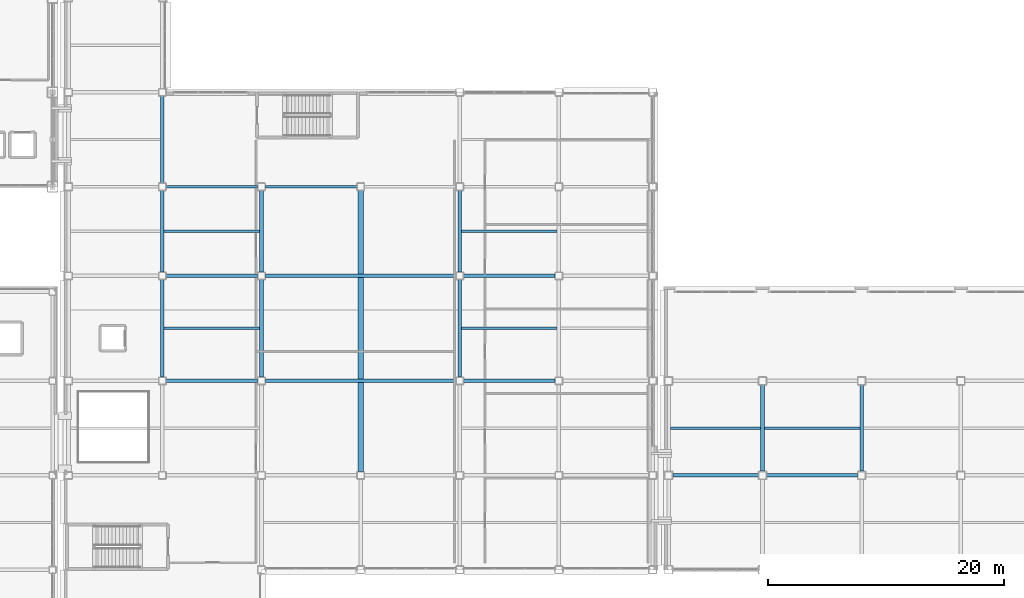
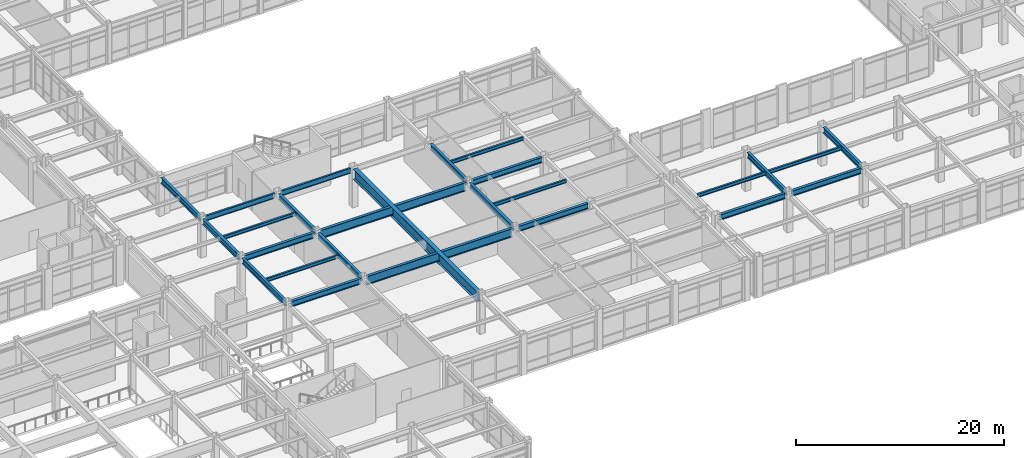
# One storey, part 50 of 172: 26 beams.
"""IFC4 building model written with IfcOpenShell, lengths in metres."""

import ifcopenshell
import ifcopenshell.guid

model = None  # the IFC model being written
_history = None  # IfcOwnerHistory: only IFC2X3 demands one
_inside = {}  # id of a spatial element -> (the spatial element, [elements in it])
_under = {}  # id of a project, library or spatial element -> (it, [spatial elements below it])
_declared = {}  # id of a project -> (the project, [libraries it declares])
_typed = {}  # id of a type object -> (the type object, [elements of that type])
_made_of = {}  # id of a material, layer set ... -> (it, [elements and type objects made of it])


def new_model(schema):
    """Start an empty IFC model of exactly this schema.

    Asked for "IFC4X3", IfcOpenShell would pick the latest addendum, in which some entities
    have other attributes; the version numbers below select the first issue.
    IFC2X3 requires an IfcOwnerHistory on every rooted entity: one is made here for all.
    """
    global model, _history
    if schema == "IFC4X3":
        model = ifcopenshell.file(schema_version=(4, 3, 0, 0))
    else:
        model = ifcopenshell.file(schema=schema)
    _inside.clear()
    _under.clear()
    _declared.clear()
    _typed.clear()
    _made_of.clear()
    _history = None
    if model.schema == "IFC2X3":
        org = make("IfcOrganization", Name="unknown")
        user = make(
            "IfcPersonAndOrganization",
            ThePerson=make("IfcPerson", FamilyName="unknown"),
            TheOrganization=org,
        )
        app = make(
            "IfcApplication",
            ApplicationDeveloper=org,
            Version="unknown",
            ApplicationFullName="unknown",
            ApplicationIdentifier="unknown",
        )
        _history = make(
            "IfcOwnerHistory",
            OwningUser=user,
            OwningApplication=app,
            ChangeAction="ADDED",
            CreationDate=0,
        )
    return model


def make(cls, **values):
    """One entity of the class cls with the attributes given. An attribute that is None is left unset."""
    return model.create_entity(
        cls, **{name: value for name, value in values.items() if value is not None}
    )


def rooted(cls, **values):
    """An entity with a GlobalId (a new one), such as an element, a storey or a relation."""
    return make(cls, GlobalId=ifcopenshell.guid.new(), OwnerHistory=_history, **values)


def si_unit(unit_type, name, prefix=None):
    """IfcSIUnit, for example si_unit("LENGTHUNIT", "METRE", prefix="MILLI")."""
    return make("IfcSIUnit", UnitType=unit_type, Prefix=prefix, Name=name)


def assignment(units):
    """IfcUnitAssignment: the units of a project."""
    return None if units is None else make("IfcUnitAssignment", Units=units)


def point(xyz):
    """IfcCartesianPoint."""
    return None if xyz is None else make("IfcCartesianPoint", Coordinates=xyz)


def direction(xyz):
    """IfcDirection."""
    return None if xyz is None else make("IfcDirection", DirectionRatios=xyz)


def frame(location, z_axis=None, x_axis=None):
    """IfcAxis2Placement3D, a coordinate frame: its origin and axes. An axis left out is left unset."""
    return make(
        "IfcAxis2Placement3D",
        Location=point(location),
        Axis=direction(z_axis),
        RefDirection=direction(x_axis),
    )


def frame_2d(location, x_axis=None):
    """IfcAxis2Placement2D, a coordinate frame in the plane: its origin and x axis."""
    return make(
        "IfcAxis2Placement2D", Location=point(location), RefDirection=direction(x_axis)
    )


def origin():
    """The frame at (0, 0, 0) with its axes left unset."""
    return frame((0.0, 0.0, 0.0))


def origin_2d():
    """The frame at (0, 0) in the plane with its x axis left unset."""
    return frame_2d((0.0, 0.0))


def place(relative_to, where):
    """IfcLocalPlacement: puts the frame where relative to a parent placement (None: the world)."""
    return make(
        "IfcLocalPlacement", PlacementRelTo=relative_to, RelativePlacement=where
    )


def context(
    kind, dimensions, precision=None, world=None, true_north=None, identifier=None
):
    """IfcGeometricRepresentationContext, for example the 3D "Model" context."""
    return make(
        "IfcGeometricRepresentationContext",
        ContextIdentifier=identifier,
        ContextType=kind,
        CoordinateSpaceDimension=dimensions,
        Precision=precision,
        WorldCoordinateSystem=world,
        TrueNorth=true_north,
    )


def subcontext(parent, identifier, kind, view, scale=None):
    """IfcGeometricRepresentationSubContext, for example "Body" below "Model"."""
    return make(
        "IfcGeometricRepresentationSubContext",
        ContextIdentifier=identifier,
        ContextType=kind,
        ParentContext=parent,
        TargetScale=scale,
        TargetView=view,
    )


def project(units=None, contexts=None):
    """IfcProject with its units and contexts."""
    return rooted(
        "IfcProject",
        Name="project",
        RepresentationContexts=contexts,
        UnitsInContext=assignment(units),
    )


def spatial(cls, under=None, at=None, **own):
    """A site, building, storey or space (cls), placed at a placement, below another one or the project."""
    s = rooted(cls, ObjectPlacement=at, **own)
    if under is not None:
        _under.setdefault(under.id(), (under, []))[1].append(s)
    return s


def profile(cls, at=None, kind="AREA", **sizes):
    """A parametric profile (cls). Its sizes go by their IFC names, for example OverallWidth=200.0."""
    return make(cls, ProfileType=kind, Position=at, **sizes)


def i_section(**sizes):
    """IfcIShapeProfileDef."""
    return profile("IfcIShapeProfileDef", **sizes)


def extrude(swept, where, along, depth):
    """IfcExtrudedAreaSolid: the profile swept, set in the frame where, extruded along a direction by depth."""
    return make(
        "IfcExtrudedAreaSolid",
        SweptArea=swept,
        Position=where,
        ExtrudedDirection=direction(along),
        Depth=depth,
    )


def shape(context_of_items, identifier, shape_type, items):
    """IfcShapeRepresentation: the items that make up one representation, for example the "Body"."""
    return make(
        "IfcShapeRepresentation",
        ContextOfItems=context_of_items,
        RepresentationIdentifier=identifier,
        RepresentationType=shape_type,
        Items=items,
    )


def material(Name=None, Category=None):
    """IfcMaterial."""
    return make("IfcMaterial", Name=Name, Category=Category)


def material_profile(
    of_material, cross_section, Name=None, Category=None, Priority=None
):
    """IfcMaterialProfile: a cross section and its material."""
    return make(
        "IfcMaterialProfile",
        Name=Name,
        Material=of_material,
        Profile=cross_section,
        Priority=Priority,
        Category=Category,
    )


def profile_set(profiles, Name=None, composite=None):
    """IfcMaterialProfileSet."""
    return make(
        "IfcMaterialProfileSet",
        Name=Name,
        MaterialProfiles=profiles,
        CompositeProfile=composite,
    )


def made_of(thing, what):
    """Note that an element or type object is made of a material, layer set ...; save() writes the relation."""
    if what is not None:
        _made_of.setdefault(what.id(), (what, []))[1].append(thing)
    return thing


def type_object(cls, material=None, **own):
    """A type object (cls), such as IfcWallType, which elements share."""
    return made_of(rooted(cls, **own), material)


def element(
    cls,
    number,
    at=None,
    inside=None,
    cuts=None,
    type_object=None,
    material=None,
    context=None,
    identifier="Body",
    shape_type=None,
    held_by="IfcProductDefinitionShape",
    body=None,
    shapes=None,
    **own,
):
    """One element of the class cls, such as IfcWall. Its Tag is "e" and its number.

    at: its placement. inside: the storey or other place that contains it. cuts: it is an
    opening in that element (IfcRelVoidsElement). A single representation is given by context,
    identifier, shape_type and body (its items); several are given by shapes. held_by: the class
    of the entity that holds the representations. save() writes the other relations.
    """
    e = rooted(cls, Tag="e%d" % number, ObjectPlacement=at, **own)
    if body is not None:
        shapes = [shape(context, identifier, shape_type, body)]
    if shapes is not None:
        e.Representation = make(held_by, Representations=shapes)
    if inside is not None:
        _inside.setdefault(inside.id(), (inside, []))[1].append(e)
    if cuts is not None:
        rooted(
            "IfcRelVoidsElement", RelatingBuildingElement=cuts, RelatedOpeningElement=e
        )
    if type_object is not None:
        _typed.setdefault(type_object.id(), (type_object, []))[1].append(e)
    return made_of(e, material)


def aggregate(whole, parts):
    """IfcRelAggregates: a whole, such as a stair, and the parts it consists of."""
    return rooted("IfcRelAggregates", RelatingObject=whole, RelatedObjects=parts)


def save(model, path):
    """Write the relations noted so far, then the file.

    IfcRelAggregates (storeys below a building ...), IfcRelContainedInSpatialStructure (elements
    in a storey), IfcRelDefinesByType, IfcRelAssociatesMaterial and IfcRelDeclares: one each for
    every whole, place, type object, material and project.
    """
    for whole, parts in _under.values():
        aggregate(whole, parts)
    for where, things in _inside.values():
        rooted(
            "IfcRelContainedInSpatialStructure",
            RelatedElements=things,
            RelatingStructure=where,
        )
    for kind, things in _typed.values():
        rooted("IfcRelDefinesByType", RelatedObjects=things, RelatingType=kind)
    for what, things in _made_of.values():
        rooted("IfcRelAssociatesMaterial", RelatedObjects=things, RelatingMaterial=what)
    for by, libraries in _declared.values():
        rooted("IfcRelDeclares", RelatingContext=by, RelatedDefinitions=libraries)
    model.write(path)


model = new_model("IFC4")

# Units and contexts
model_context = context("Model", 3, precision=1e-05, world=origin(), true_north=direction((0.0, 1.0)))
body_context = subcontext(model_context, "Body", "Model", "MODEL_VIEW")
ifc_project = project(units=[si_unit("LENGTHUNIT", "METRE"), si_unit("AREAUNIT", "SQUARE_METRE"), si_unit("VOLUMEUNIT", "CUBIC_METRE"), si_unit("PLANEANGLEUNIT", "RADIAN"), si_unit("MASSUNIT", "GRAM", prefix="KILO")], contexts=[model_context])

# Site, building, storey
site_placement = place(None, origin())
site = spatial("IfcSite", under=ifc_project, at=site_placement, CompositionType="ELEMENT")
building_placement = place(site_placement, origin())
building = spatial("IfcBuilding", under=site, at=building_placement, Name="Kazehara Bluff Congress Hotel", CompositionType="ELEMENT")
storey_placement = place(building_placement, frame((0.0, 0.0, 5.39990234375)))
storey = spatial("IfcBuildingStorey", under=building, at=storey_placement, Name="L01", CompositionType="ELEMENT", Elevation=5.39990234375)

# Beams
ifc_material_1 = material(Name="Steel SN490B", Category="steel")
ifc_material_profile_1 = material_profile(ifc_material_1, i_section(OverallWidth=0.300048828125, OverallDepth=0.64990234375, WebThickness=0.011962890625, FlangeThickness=0.02001953125, FilletRadius=0.012939453125, at=origin_2d()))
ifc_profile_set_1 = profile_set([ifc_material_profile_1], Name="Steel SN490B")
beam_type_1 = type_object("IfcBeamType", Name="TP-G-03", PredefinedType="BEAM", material=ifc_profile_set_1)
beam_1_placement = place(storey_placement, frame((67.64990234375, 32.324951171875, 4.22509765625), z_axis=(0.0, 1.0, 0.0), x_axis=(-1.0, 0.0, 0.0)))
element("IfcBeam", 1, at=beam_1_placement, inside=storey, type_object=beam_type_1, Name="L01 girder G-03 157", PredefinedType="BEAM", context=body_context, shape_type="SweptSolid", body=[
    extrude(i_section(OverallWidth=0.300048828125, OverallDepth=0.64990234375, WebThickness=0.011962890625, FlangeThickness=0.02001953125, FilletRadius=0.012939453125, at=origin_2d()), origin(), (0.0, 0.0, 1.0), 8.25),
])
beam_2_placement = place(storey_placement, frame((67.64990234375, 41.22509765625, 4.22509765625), z_axis=(0.0, 1.0, 0.0), x_axis=(-1.0, 0.0, 0.0)))
element("IfcBeam", 2, at=beam_2_placement, inside=storey, type_object=beam_type_1, Name="L01 girder G-03 158", PredefinedType="BEAM", context=body_context, shape_type="SweptSolid", body=[
    extrude(i_section(OverallWidth=0.300048828125, OverallDepth=0.64990234375, WebThickness=0.011962890625, FlangeThickness=0.02001953125, FilletRadius=0.012939453125, at=origin_2d()), origin(), (0.0, 0.0, 1.0), 6.89990234375),
])
beam_3_placement = place(storey_placement, frame((67.64990234375, 48.77490234375, 4.22509765625), z_axis=(0.0, 1.0, 0.0), x_axis=(-1.0, 0.0, 0.0)))
element("IfcBeam", 3, at=beam_3_placement, inside=storey, type_object=beam_type_1, Name="L01 girder G-03 159", PredefinedType="BEAM", context=body_context, shape_type="SweptSolid", body=[
    extrude(i_section(OverallWidth=0.300048828125, OverallDepth=0.64990234375, WebThickness=0.011962890625, FlangeThickness=0.02001953125, FilletRadius=0.012939453125, at=origin_2d()), origin(), (0.0, 0.0, 1.0), 7.35009765625),
])
beam_4_placement = place(storey_placement, frame((76.050048828125, 32.324951171875, 4.22509765625), z_axis=(0.0, 1.0, 0.0), x_axis=(-1.0, 0.0, 0.0)))
element("IfcBeam", 4, at=beam_4_placement, inside=storey, type_object=beam_type_1, Name="L01 girder G-03 166", PredefinedType="BEAM", context=body_context, shape_type="SweptSolid", body=[
    extrude(i_section(OverallWidth=0.300048828125, OverallDepth=0.64990234375, WebThickness=0.011962890625, FlangeThickness=0.02001953125, FilletRadius=0.012939453125, at=origin_2d()), origin(), (0.0, 0.0, 1.0), 8.25),
])
beam_5_placement = place(storey_placement, frame((76.050048828125, 41.22509765625, 4.22509765625), z_axis=(0.0, 1.0, 0.0), x_axis=(-1.0, 0.0, 0.0)))
element("IfcBeam", 5, at=beam_5_placement, inside=storey, type_object=beam_type_1, Name="L01 girder G-03 167", PredefinedType="BEAM", context=body_context, shape_type="SweptSolid", body=[
    extrude(i_section(OverallWidth=0.300048828125, OverallDepth=0.64990234375, WebThickness=0.011962890625, FlangeThickness=0.02001953125, FilletRadius=0.012939453125, at=origin_2d()), origin(), (0.0, 0.0, 1.0), 6.89990234375),
])
beam_6_placement = place(storey_placement, frame((92.85009765625, 32.324951171875, 4.22509765625), z_axis=(0.0, 1.0, 0.0), x_axis=(-1.0, 0.0, 0.0)))
element("IfcBeam", 6, at=beam_6_placement, inside=storey, type_object=beam_type_1, Name="L01 girder G-03 172", PredefinedType="BEAM", context=body_context, shape_type="SweptSolid", body=[
    extrude(i_section(OverallWidth=0.300048828125, OverallDepth=0.64990234375, WebThickness=0.011962890625, FlangeThickness=0.02001953125, FilletRadius=0.012939453125, at=origin_2d()), origin(), (0.0, 0.0, 1.0), 8.25),
])
beam_7_placement = place(storey_placement, frame((92.85009765625, 41.22509765625, 4.22509765625), z_axis=(0.0, 1.0, 0.0), x_axis=(-1.0, 0.0, 0.0)))
element("IfcBeam", 7, at=beam_7_placement, inside=storey, type_object=beam_type_1, Name="L01 girder G-03 173", PredefinedType="BEAM", context=body_context, shape_type="SweptSolid", body=[
    extrude(i_section(OverallWidth=0.300048828125, OverallDepth=0.64990234375, WebThickness=0.011962890625, FlangeThickness=0.02001953125, FilletRadius=0.012939453125, at=origin_2d()), origin(), (0.0, 0.0, 1.0), 6.89990234375),
])
for number, where, z_axis, x_axis, name in (
    (8, (67.97509765625, 32.0, 4.22509765625), (1.0, 0.0, 0.0), (0.0, 1.0, 0.0), "L01 girder G-03 200"),
    (9, (93.175048828125, 32.0, 4.22509765625), (1.0, 0.0, 0.0), (0.0, 1.0, 0.0), "L01 girder G-03 202"),
    (10, (67.97509765625, 40.89990234375, 4.22509765625), (1.0, 0.0, 0.0), (0.0, 1.0, 0.0), "L01 girder G-03 205"),
    (11, (93.175048828125, 40.89990234375, 4.22509765625), (1.0, 0.0, 0.0), (0.0, 1.0, 0.0), "L01 girder G-03 207"),
):
    element("IfcBeam", number, at=place(storey_placement, frame(where, z_axis=z_axis, x_axis=x_axis)), inside=storey, type_object=beam_type_1, Name=name, PredefinedType="BEAM", context=body_context, shape_type="SweptSolid", body=[
        extrude(i_section(OverallWidth=0.300048828125, OverallDepth=0.64990234375, WebThickness=0.011962890625, FlangeThickness=0.02001953125, FilletRadius=0.012939453125, at=origin_2d()), origin(), (0.0, 0.0, 1.0), 7.75),
    ])
for number, where, z_axis, x_axis, name in (
    (12, (118.5, 24.35009765625, 4.22509765625), (0.0, 1.0, 0.0), (-1.0, 0.0, 0.0), "L01 girder G-03 224"),
    (13, (126.89990234375, 24.35009765625, 4.22509765625), (0.0, 1.0, 0.0), (-1.0, 0.0, 0.0), "L01 girder G-03 226"),
):
    element("IfcBeam", number, at=place(storey_placement, frame(where, z_axis=z_axis, x_axis=x_axis)), inside=storey, type_object=beam_type_1, Name=name, PredefinedType="BEAM", context=body_context, shape_type="SweptSolid", body=[
        extrude(i_section(OverallWidth=0.300048828125, OverallDepth=0.64990234375, WebThickness=0.011962890625, FlangeThickness=0.02001953125, FilletRadius=0.012939453125, at=origin_2d()), origin(), (0.0, 0.0, 1.0), 7.2998046875),
    ])
beam_8_placement = place(storey_placement, frame((110.89990234375, 24.0, 4.22509765625), z_axis=(1.0, 0.0, 0.0), x_axis=(0.0, 1.0, 0.0)))
element("IfcBeam", 14, at=beam_8_placement, inside=storey, type_object=beam_type_1, Name="L01 girder G-03 284", PredefinedType="BEAM", context=body_context, shape_type="SweptSolid", body=[
    extrude(i_section(OverallWidth=0.300048828125, OverallDepth=0.64990234375, WebThickness=0.011962890625, FlangeThickness=0.02001953125, FilletRadius=0.012939453125, at=origin_2d()), origin(), (0.0, 0.0, 1.0), 7.25),
])
beam_9_placement = place(storey_placement, frame((118.85009765625, 24.0, 4.22509765625), z_axis=(1.0, 0.0, 0.0), x_axis=(0.0, 1.0, 0.0)))
element("IfcBeam", 15, at=beam_9_placement, inside=storey, type_object=beam_type_1, Name="L01 girder G-03 285", PredefinedType="BEAM", context=body_context, shape_type="SweptSolid", body=[
    extrude(i_section(OverallWidth=0.300048828125, OverallDepth=0.64990234375, WebThickness=0.011962890625, FlangeThickness=0.02001953125, FilletRadius=0.012939453125, at=origin_2d()), origin(), (0.0, 0.0, 1.0), 7.699951171875),
])
ifc_material_2 = material(Name="Steel SN490B", Category="steel")
ifc_material_profile_2 = material_profile(ifc_material_2, i_section(OverallWidth=0.300048828125, OverallDepth=1.0, WebThickness=0.01611328125, FlangeThickness=0.028076171875, FilletRadius=0.02197265625, at=origin_2d()))
ifc_profile_set_2 = profile_set([ifc_material_profile_2], Name="Steel SN490B")
beam_type_2 = type_object("IfcBeamType", Name="TP-G-09", PredefinedType="BEAM", material=ifc_profile_set_2)
for number, where, z_axis, x_axis, name in (
    (16, (76.375, 32.0, 4.050048828125), (1.0, 0.0, 0.0), (0.0, 1.0, 0.0), "L01 girder G-09 201"),
    (17, (76.375, 40.89990234375, 4.050048828125), (1.0, 0.0, 0.0), (0.0, 1.0, 0.0), "L01 girder G-09 206"),
):
    element("IfcBeam", number, at=place(storey_placement, frame(where, z_axis=z_axis, x_axis=x_axis)), inside=storey, type_object=beam_type_2, Name=name, PredefinedType="BEAM", context=body_context, shape_type="SweptSolid", body=[
        extrude(i_section(OverallWidth=0.300048828125, OverallDepth=1.0, WebThickness=0.01611328125, FlangeThickness=0.028076171875, FilletRadius=0.02197265625, at=origin_2d()), origin(), (0.0, 0.0, 1.0), 16.14990234375),
    ])
ifc_material_3 = material(Name="Steel SN490B", Category="steel")
ifc_material_profile_3 = material_profile(ifc_material_3, i_section(OverallWidth=0.449951171875, OverallDepth=1.199951171875, WebThickness=0.02001953125, FlangeThickness=0.031982421875, at=origin_2d()))
ifc_profile_set_3 = profile_set([ifc_material_profile_3], Name="Steel SN490B")
beam_type_3 = type_object("IfcBeamType", Name="TP-G-10", PredefinedType="BEAM", material=ifc_profile_set_3)
beam_10_placement = place(storey_placement, frame((84.449951171875, 24.324951171875, 3.9501953125), z_axis=(0.0, 1.0, 0.0), x_axis=(-1.0, 0.0, 0.0)))
element("IfcBeam", 18, at=beam_10_placement, inside=storey, type_object=beam_type_3, Name="L01 girder G-10 169", PredefinedType="BEAM", context=body_context, shape_type="SweptSolid", body=[
    extrude(i_section(OverallWidth=0.449951171875, OverallDepth=1.199951171875, WebThickness=0.02001953125, FlangeThickness=0.031982421875, at=origin_2d()), origin(), (0.0, 0.0, 1.0), 23.800048828125),
])
ifc_material_4 = material(Name="Steel SN400B", Category="steel")
ifc_material_profile_4 = material_profile(ifc_material_4, i_section(OverallWidth=0.199951171875, OverallDepth=0.39990234375, WebThickness=0.008056640625, FlangeThickness=0.012939453125, FilletRadius=0.012939453125, at=origin_2d()))
ifc_profile_set_4 = profile_set([ifc_material_profile_4], Name="Steel SN400B")
beam_type_4 = type_object("IfcBeamType", Name="TP-J-03", PredefinedType="JOIST", material=ifc_profile_set_4)
for number, where, z_axis, x_axis, name in (
    (19, (67.800048828125, 36.449951171875, 4.35009765625), (1.0, 0.0, 0.0), (0.0, 1.0, 0.0), "L01 secondary joist J-03 41"),
    (20, (67.800048828125, 44.675048828125, 4.35009765625), (1.0, 0.0, 0.0), (0.0, 1.0, 0.0), "L01 secondary joist J-03 42"),
):
    element("IfcBeam", number, at=place(storey_placement, frame(where, z_axis=z_axis, x_axis=x_axis)), inside=storey, type_object=beam_type_4, Name=name, PredefinedType="JOIST", context=body_context, shape_type="SweptSolid", body=[
        extrude(i_section(OverallWidth=0.199951171875, OverallDepth=0.39990234375, WebThickness=0.008056640625, FlangeThickness=0.012939453125, FilletRadius=0.012939453125, at=origin_2d()), origin(), (0.0, 0.0, 1.0), 8.099853515625),
    ])
for number, where, z_axis, x_axis, name in (
    (21, (93.0, 36.449951171875, 4.35009765625), (1.0, 0.0, 0.0), (0.0, 1.0, 0.0), "L01 secondary joist J-03 47"),
    (22, (93.0, 44.675048828125, 4.35009765625), (1.0, 0.0, 0.0), (0.0, 1.0, 0.0), "L01 secondary joist J-03 48"),
):
    element("IfcBeam", number, at=place(storey_placement, frame(where, z_axis=z_axis, x_axis=x_axis)), inside=storey, type_object=beam_type_4, Name=name, PredefinedType="JOIST", context=body_context, shape_type="SweptSolid", body=[
        extrude(i_section(OverallWidth=0.199951171875, OverallDepth=0.39990234375, WebThickness=0.008056640625, FlangeThickness=0.012939453125, FilletRadius=0.012939453125, at=origin_2d()), origin(), (0.0, 0.0, 1.0), 8.10009765625),
    ])
beam_11_placement = place(storey_placement, frame((110.699951171875, 28.0, 4.35009765625), z_axis=(1.0, 0.0, 0.0), x_axis=(0.0, 1.0, 0.0)))
element("IfcBeam", 23, at=beam_11_placement, inside=storey, type_object=beam_type_4, Name="L01 secondary joist J-03 56", PredefinedType="JOIST", context=body_context, shape_type="SweptSolid", body=[
    extrude(i_section(OverallWidth=0.199951171875, OverallDepth=0.39990234375, WebThickness=0.008056640625, FlangeThickness=0.012939453125, FilletRadius=0.012939453125, at=origin_2d()), origin(), (0.0, 0.0, 1.0), 7.650146484375),
])
beam_12_placement = place(storey_placement, frame((118.64990234375, 28.0, 4.35009765625), z_axis=(1.0, 0.0, 0.0), x_axis=(0.0, 1.0, 0.0)))
element("IfcBeam", 24, at=beam_12_placement, inside=storey, type_object=beam_type_4, Name="L01 secondary joist J-03 58", PredefinedType="JOIST", context=body_context, shape_type="SweptSolid", body=[
    extrude(i_section(OverallWidth=0.199951171875, OverallDepth=0.39990234375, WebThickness=0.008056640625, FlangeThickness=0.012939453125, FilletRadius=0.012939453125, at=origin_2d()), origin(), (0.0, 0.0, 1.0), 8.10009765625),
])
ifc_material_5 = material(Name="Steel SN490B", Category="steel")
ifc_material_profile_5 = material_profile(ifc_material_5, i_section(OverallWidth=0.199951171875, OverallDepth=0.60009765625, WebThickness=0.010986328125, FlangeThickness=0.01708984375, FilletRadius=0.012939453125, at=origin_2d()))
ifc_profile_set_5 = profile_set([ifc_material_profile_5], Name="Steel SN490B")
beam_type_5 = type_object("IfcBeamType", Name="TP-SP-02", PredefinedType="SPANDREL", material=ifc_profile_set_5)
for number, where, z_axis, x_axis, name in (
    (25, (67.97509765625, 48.449951171875, 4.25), (1.0, 0.0, 0.0), (0.0, 1.0, 0.0), "L01 girder SP-02 210"),
    (26, (76.375, 48.449951171875, 4.25), (1.0, 0.0, 0.0), (0.0, 1.0, 0.0), "L01 girder SP-02 211"),
):
    element("IfcBeam", number, at=place(storey_placement, frame(where, z_axis=z_axis, x_axis=x_axis)), inside=storey, type_object=beam_type_5, Name=name, PredefinedType="SPANDREL", context=body_context, shape_type="SweptSolid", body=[
        extrude(i_section(OverallWidth=0.199951171875, OverallDepth=0.60009765625, WebThickness=0.010986328125, FlangeThickness=0.01708984375, FilletRadius=0.012939453125, at=origin_2d()), origin(), (0.0, 0.0, 1.0), 7.75),
    ])

save(model, "model.ifc")
